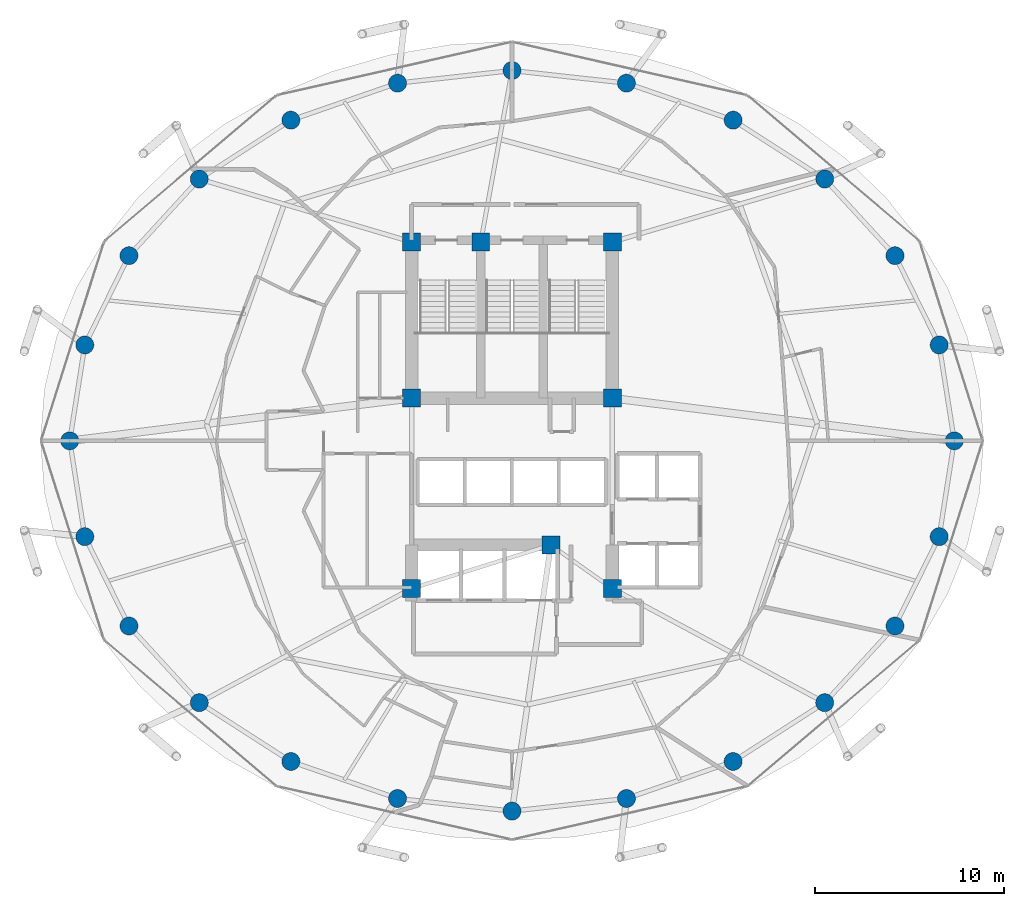
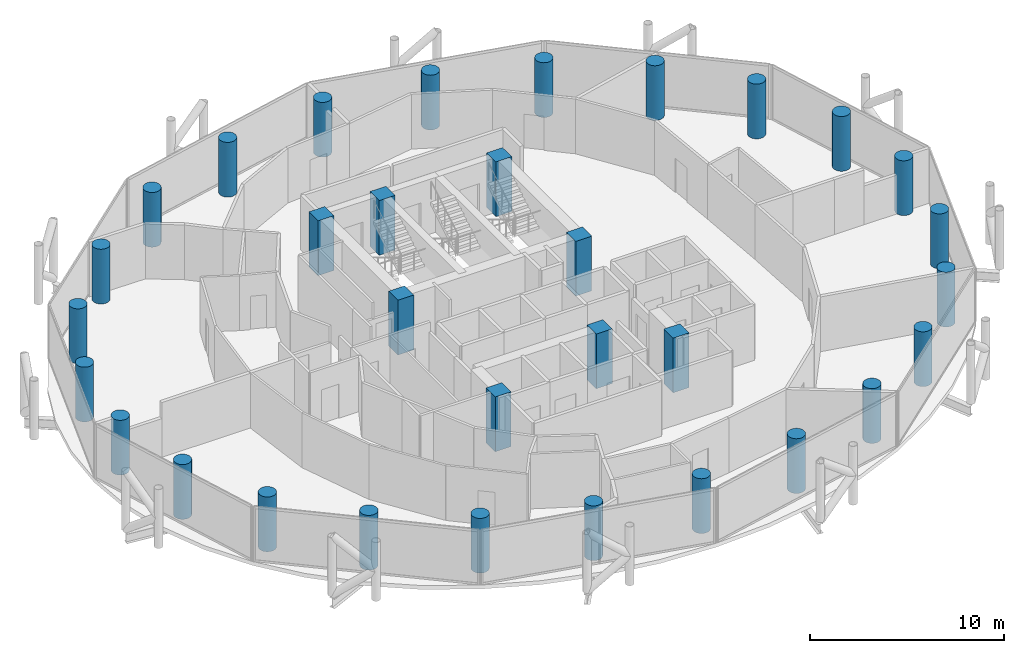
# One storey, part 1 of 26: 32 columns.
"""IFC4 building model written with IfcOpenShell, lengths in metres."""

from ifc_helpers import new_model, si_unit, direction, frame, origin, origin_2d, place, context, subcontext, project, spatial, rectangle, circle, extrude, material, material_profile, profile_set, type_object, element, save


model = new_model("IFC4")

# Units and contexts
model_context = context("Model", 3, precision=1e-05, world=origin(), true_north=direction((0.0, 1.0)))
body_context = subcontext(model_context, "Body", "Model", "MODEL_VIEW")
ifc_project = project(units=[si_unit("LENGTHUNIT", "METRE"), si_unit("AREAUNIT", "SQUARE_METRE"), si_unit("VOLUMEUNIT", "CUBIC_METRE"), si_unit("PLANEANGLEUNIT", "RADIAN"), si_unit("MASSUNIT", "GRAM", prefix="KILO")], contexts=[model_context])

# Site, building, storey
site_placement = place(None, origin())
site = spatial("IfcSite", under=ifc_project, at=site_placement, CompositionType="ELEMENT")
building_placement = place(site_placement, origin())
building = spatial("IfcBuilding", under=site, at=building_placement, Name="Nuhasar Tower", CompositionType="ELEMENT")
storey_placement = place(building_placement, frame((0.0, 0.0, 181.14990234375)))
storey = spatial("IfcBuildingStorey", under=building, at=storey_placement, Name="L44", CompositionType="ELEMENT", Elevation=181.14990234375)

# Columns
ifc_material = material(Name="Concrete C65/80", Category="concrete")
ifc_material_profile_1 = material_profile(ifc_material, circle(Radius=0.47509765625, at=origin_2d()), Name="CFT950")
ifc_profile_set_1 = profile_set([ifc_material_profile_1], Name="Concrete C65/80")
column_type_1 = type_object("IfcColumnType", Name="COL-CFT-950", PredefinedType="COLUMN", material=ifc_profile_set_1)
for number, where, z_axis, x_axis, name in (
    (1, (62.35009765625, 26.800048828125, 0.0), (0.0, 0.0, 1.0), (1.0, 0.0, 0.0), "L44 Perimeter Composite Column TC-01"),
    (2, (61.553955078125, 31.860107421875, 0.0), (0.0, 0.0, 1.0), (1.0, 0.0, 0.0), "L44 Perimeter Composite Column TC-02"),
    (3, (59.221923828125, 36.574951171875, 0.0), (0.0, 0.0, 1.0), (1.0, 0.0, 0.0), "L44 Perimeter Composite Column TC-03"),
    (4, (55.510986328125, 40.6240234375, 0.0), (0.0, 0.0, 1.0), (1.0, 0.0, 0.0), "L44 Perimeter Composite Column TC-04"),
    (5, (50.675048828125, 43.73095703125, 0.0), (0.0, 0.0, 1.0), (1.0, 0.0, 0.0), "L44 Perimeter Composite Column TC-05"),
    (6, (45.04296875, 45.68408203125, 0.0), (0.0, 0.0, 1.0), (1.0, 0.0, 0.0), "L44 Perimeter Composite Column TC-06"),
    (7, (39.0, 46.35009765625, 0.0), (0.0, 0.0, 1.0), (1.0, 0.0, 0.0), "L44 Perimeter Composite Column TC-07"),
    (8, (32.95703125, 45.68408203125, 0.0), (0.0, 0.0, 1.0), (1.0, 0.0, 0.0), "L44 Perimeter Composite Column TC-08"),
    (9, (27.324951171875, 43.73095703125, 0.0), (0.0, 0.0, 1.0), (1.0, 0.0, 0.0), "L44 Perimeter Composite Column TC-09"),
    (10, (22.489013671875, 40.6240234375, 0.0), (0.0, 0.0, 1.0), (1.0, 0.0, 0.0), "L44 Perimeter Composite Column TC-10"),
    (11, (18.778076171875, 36.574951171875, 0.0), (0.0, 0.0, 1.0), (1.0, 0.0, 0.0), "L44 Perimeter Composite Column TC-11"),
    (12, (16.446044921875, 31.860107421875, 0.0), (0.0, 0.0, 1.0), (1.0, 0.0, 0.0), "L44 Perimeter Composite Column TC-12"),
    (13, (15.64990234375, 26.800048828125, 0.0), (0.0, 0.0, 1.0), (1.0, 0.0, 0.0), "L44 Perimeter Composite Column TC-13"),
    (14, (16.446044921875, 21.739990234375, 0.0), (0.0, 0.0, 1.0), (1.0, 0.0, 0.0), "L44 Perimeter Composite Column TC-14"),
    (15, (18.778076171875, 17.02490234375, 0.0), (0.0, 0.0, 1.0), (1.0, 0.0, 0.0), "L44 Perimeter Composite Column TC-15"),
    (16, (22.489013671875, 12.97607421875, 0.0), (0.0, 0.0, 1.0), (1.0, 0.0, 0.0), "L44 Perimeter Composite Column TC-16"),
    (17, (27.324951171875, 9.868896484375, 0.0), (0.0, 0.0, 1.0), (1.0, 0.0, 0.0), "L44 Perimeter Composite Column TC-17"),
    (18, (32.95703125, 7.916015625, 0.0), (0.0, 0.0, 1.0), (1.0, 0.0, 0.0), "L44 Perimeter Composite Column TC-18"),
    (19, (39.0, 7.25, 0.0), (0.0, 0.0, 1.0), (1.0, 0.0, 0.0), "L44 Perimeter Composite Column TC-19"),
    (20, (45.04296875, 7.916015625, 0.0), (0.0, 0.0, 1.0), (1.0, 0.0, 0.0), "L44 Perimeter Composite Column TC-20"),
    (21, (50.675048828125, 9.868896484375, 0.0), (0.0, 0.0, 1.0), (1.0, 0.0, 0.0), "L44 Perimeter Composite Column TC-21"),
    (22, (55.510986328125, 12.97607421875, 0.0), (0.0, 0.0, 1.0), (1.0, 0.0, 0.0), "L44 Perimeter Composite Column TC-22"),
    (23, (59.221923828125, 17.02490234375, 0.0), (0.0, 0.0, 1.0), (1.0, 0.0, 0.0), "L44 Perimeter Composite Column TC-23"),
    (24, (61.553955078125, 21.739990234375, 0.0), (0.0, 0.0, 1.0), (1.0, 0.0, 0.0), "L44 Perimeter Composite Column TC-24"),
):
    element("IfcColumn", number, at=place(storey_placement, frame(where, z_axis=z_axis, x_axis=x_axis)), inside=storey, type_object=column_type_1, Name=name, PredefinedType="COLUMN", context=body_context, shape_type="SweptSolid", body=[
        extrude(circle(Radius=0.47509765625, at=origin_2d()), origin(), (0.0, 0.0, 1.0), 3.4501953125),
    ])
ifc_material_profile_2 = material_profile(ifc_material, rectangle(XDim=0.949951171875, YDim=0.949951171875, at=origin_2d()), Name="RC950X950")
ifc_profile_set_2 = profile_set([ifc_material_profile_2], Name="Concrete C65/80")
column_type_2 = type_object("IfcColumnType", Name="PIL-RC-950", PredefinedType="PILASTER", material=ifc_profile_set_2)
for number, where, z_axis, x_axis, name in (
    (25, (33.699951171875, 19.0, 0.0), (0.0, 0.0, 1.0), (1.0, 0.0, 0.0), "L44 Core Boundary Pilaster CC-01"),
    (26, (41.050048828125, 21.300048828125, 0.0), (0.0, 0.0, 1.0), (1.0, 0.0, 0.0), "L44 Core Boundary Pilaster CC-02"),
    (27, (44.300048828125, 19.0, 0.0), (0.0, 0.0, 1.0), (1.0, 0.0, 0.0), "L44 Core Boundary Pilaster CC-03"),
    (28, (44.300048828125, 29.050048828125, 0.0), (0.0, 0.0, 1.0), (1.0, 0.0, 0.0), "L44 Core Boundary Pilaster CC-04"),
    (29, (44.300048828125, 37.300048828125, 0.0), (0.0, 0.0, 1.0), (1.0, 0.0, 0.0), "L44 Core Boundary Pilaster CC-05"),
    (30, (37.35009765625, 37.300048828125, 0.0), (0.0, 0.0, 1.0), (1.0, 0.0, 0.0), "L44 Core Boundary Pilaster CC-06"),
    (31, (33.699951171875, 37.300048828125, 0.0), (0.0, 0.0, 1.0), (1.0, 0.0, 0.0), "L44 Core Boundary Pilaster CC-07"),
    (32, (33.699951171875, 29.050048828125, 0.0), (0.0, 0.0, 1.0), (1.0, 0.0, 0.0), "L44 Core Boundary Pilaster CC-08"),
):
    element("IfcColumn", number, at=place(storey_placement, frame(where, z_axis=z_axis, x_axis=x_axis)), inside=storey, type_object=column_type_2, Name=name, PredefinedType="PILASTER", context=body_context, shape_type="SweptSolid", body=[
        extrude(rectangle(XDim=0.949951171875, YDim=0.949951171875, at=origin_2d()), origin(), (0.0, 0.0, 1.0), 3.4501953125),
    ])

save(model, "model.ifc")
